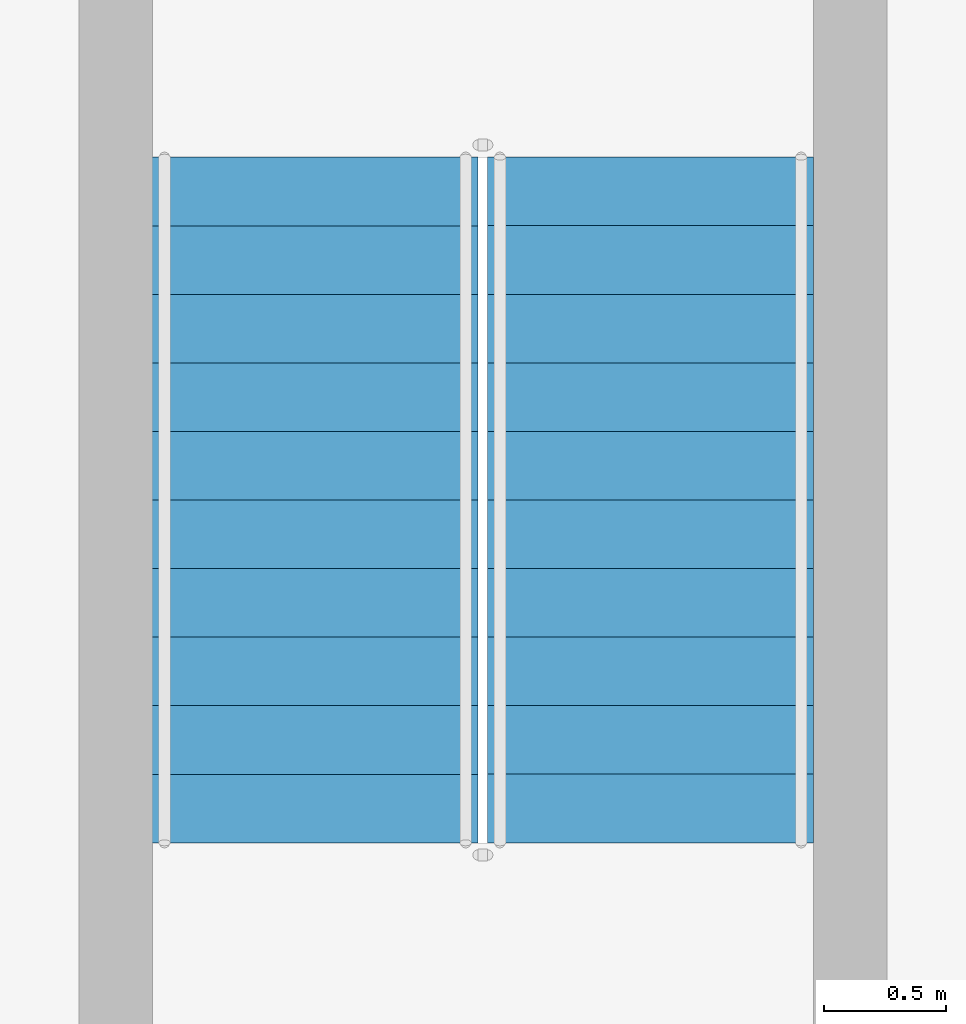
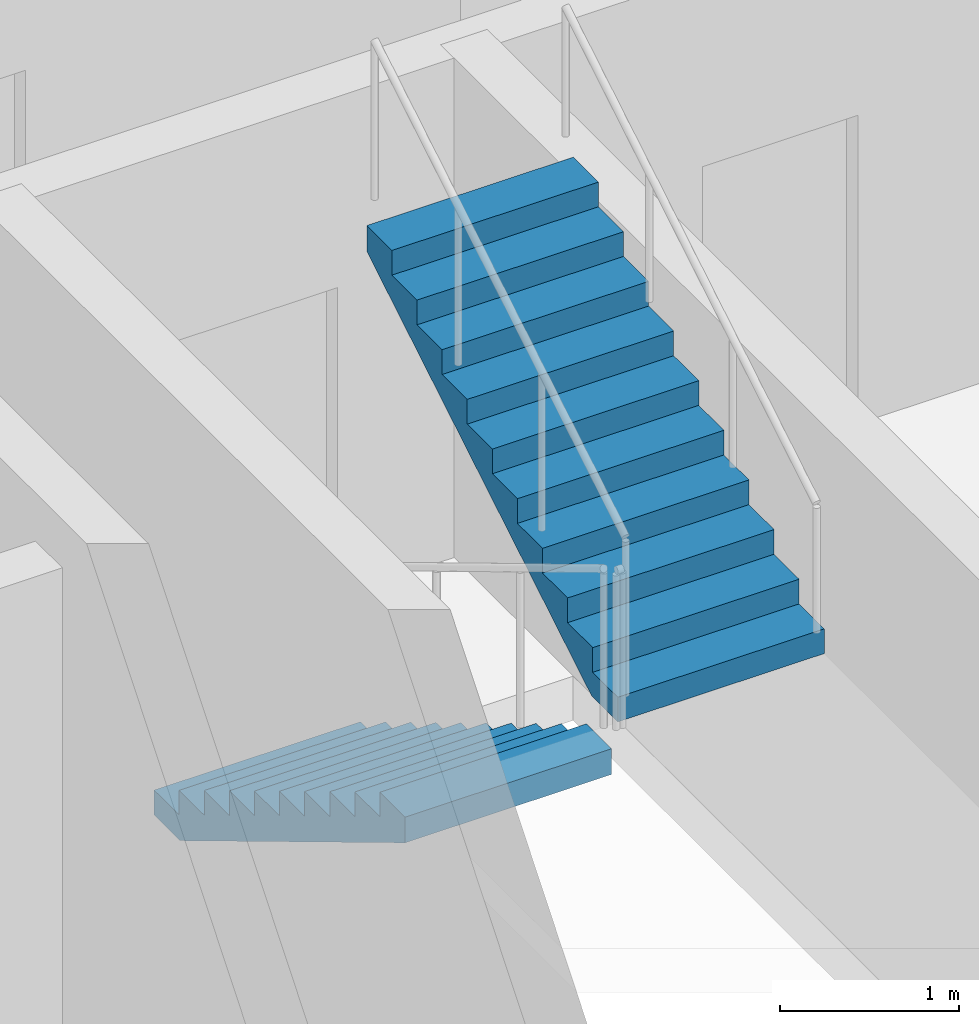
# One storey, part 26 of 36: 2 stair flights, 1 element without a shape of its own.
"""IFC4 building model written with IfcOpenShell, lengths in metres."""

from ifc_helpers import new_model, si_unit, direction, frame, origin, place, context, subcontext, project, spatial, triangles, source, transform, mapped, material, type_object, element, aggregate, save


model = new_model("IFC4")

# Units and contexts
model_context = context("Model", 3, precision=1e-05, world=origin(), true_north=direction((0.0, 1.0)))
body_context = subcontext(model_context, "Body", "Model", "MODEL_VIEW")
ifc_project = project(units=[si_unit("LENGTHUNIT", "METRE"), si_unit("AREAUNIT", "SQUARE_METRE"), si_unit("VOLUMEUNIT", "CUBIC_METRE"), si_unit("PLANEANGLEUNIT", "RADIAN"), si_unit("MASSUNIT", "GRAM", prefix="KILO")], contexts=[model_context])

# Site, building, storey
site_placement = place(None, origin())
site = spatial("IfcSite", under=ifc_project, at=site_placement, CompositionType="ELEMENT")
building_placement = place(site_placement, origin())
building = spatial("IfcBuilding", under=site, at=building_placement, Name="Ogive Portal Towers", CompositionType="ELEMENT")
storey_placement = place(building_placement, frame((0.0, 0.0, 70.5)))
storey = spatial("IfcBuildingStorey", under=building, at=storey_placement, Name="L16", CompositionType="ELEMENT", Elevation=70.5)

# Stair, stair flights
ifc_material = material(Name="Concrete C40/50", Category="concrete")
stair_type = type_object("IfcStairType", Name="INT-STAIR", PredefinedType="HALF_TURN_STAIR", material=ifc_material)
stair_placement = place(storey_placement, origin())
stair = element("IfcStair", 1, at=stair_placement, inside=storey, type_object=stair_type, Name="L16 Exit Stair ST-A4", PredefinedType="HALF_TURN_STAIR")
stair_flight_type = type_object("IfcStairFlightType", Name="INT-FLIGHT", PredefinedType="STRAIGHT", material=ifc_material)
shared_shape = source(origin(), body_context, "Body", "Tessellation", [
    triangles([(0.0, -0.6650390625, 0.0), (0.0, -0.384765625, 0.0), (0.0, -0.197021484375, 0.0), (0.0, -0.0830078125, 0.0), (0.0, -0.024658203125, 0.0), (0.0, -0.003173828125, 0.0), (0.0, 0.0, 0.0), (0.0, 0.003173828125, 0.0), (0.0, 0.024658203125, 0.0), (0.0, 0.0830078125, 0.0), (0.0, 0.197021484375, 0.0), (0.0, 0.384765625, 0.0), (0.0, 0.6650390625, 0.0), (0.0, -0.6650390625, 0.168212890625), (0.0, -0.384765625, 0.168212890625), (0.0, -0.197021484375, 0.168212890625), (0.0, -0.0830078125, 0.168212890625), (0.0, -0.024658203125, 0.168212890625), (0.0, -0.003173828125, 0.168212890625), (0.0, 0.0, 0.168212890625), (0.0, 0.003173828125, 0.168212890625), (0.0, 0.024658203125, 0.168212890625), (0.0, 0.0830078125, 0.168212890625), (0.0, 0.197021484375, 0.168212890625), (0.0, 0.384765625, 0.168212890625), (0.0, 0.6650390625, 0.168212890625), (0.280029296875, -0.6650390625, 0.168212890625), (0.280029296875, -0.384765625, 0.168212890625), (0.280029296875, -0.197021484375, 0.168212890625), (0.280029296875, -0.0830078125, 0.168212890625), (0.280029296875, -0.024658203125, 0.168212890625), (0.280029296875, -0.003173828125, 0.168212890625), (0.280029296875, 0.0, 0.168212890625), (0.280029296875, 0.003173828125, 0.168212890625), (0.280029296875, 0.024658203125, 0.168212890625), (0.280029296875, 0.0830078125, 0.168212890625), (0.280029296875, 0.197021484375, 0.168212890625), (0.280029296875, 0.384765625, 0.168212890625), (0.280029296875, 0.6650390625, 0.168212890625), (0.280029296875, -0.6650390625, 0.33642578125), (0.280029296875, -0.384765625, 0.33642578125), (0.280029296875, -0.197021484375, 0.33642578125), (0.280029296875, -0.0830078125, 0.33642578125), (0.280029296875, -0.024658203125, 0.33642578125), (0.280029296875, -0.003173828125, 0.33642578125), (0.280029296875, 0.0, 0.33642578125), (0.280029296875, 0.003173828125, 0.33642578125), (0.280029296875, 0.024658203125, 0.33642578125), (0.280029296875, 0.0830078125, 0.33642578125), (0.280029296875, 0.197021484375, 0.33642578125), (0.280029296875, 0.384765625, 0.33642578125), (0.280029296875, 0.6650390625, 0.33642578125), (0.56005859375, -0.6650390625, 0.33642578125), (0.56005859375, -0.384765625, 0.33642578125), (0.56005859375, -0.197021484375, 0.33642578125), (0.56005859375, -0.0830078125, 0.33642578125), (0.56005859375, -0.024658203125, 0.33642578125), (0.56005859375, -0.003173828125, 0.33642578125), (0.56005859375, 0.0, 0.33642578125), (0.56005859375, 0.003173828125, 0.33642578125), (0.56005859375, 0.024658203125, 0.33642578125), (0.56005859375, 0.0830078125, 0.33642578125), (0.56005859375, 0.197021484375, 0.33642578125), (0.56005859375, 0.384765625, 0.33642578125), (0.56005859375, 0.6650390625, 0.33642578125), (0.56005859375, -0.6650390625, 0.504638671875), (0.56005859375, -0.384765625, 0.504638671875), (0.56005859375, -0.197021484375, 0.504638671875), (0.56005859375, -0.0830078125, 0.504638671875), (0.56005859375, -0.024658203125, 0.504638671875), (0.56005859375, -0.003173828125, 0.504638671875), (0.56005859375, 0.0, 0.504638671875), (0.56005859375, 0.003173828125, 0.504638671875), (0.56005859375, 0.024658203125, 0.504638671875), (0.56005859375, 0.0830078125, 0.504638671875), (0.56005859375, 0.197021484375, 0.504638671875), (0.56005859375, 0.384765625, 0.504638671875), (0.56005859375, 0.6650390625, 0.504638671875), (0.840087890625, -0.6650390625, 0.504638671875), (0.840087890625, -0.384765625, 0.504638671875), (0.840087890625, -0.197021484375, 0.504638671875), (0.840087890625, -0.0830078125, 0.504638671875), (0.840087890625, -0.024658203125, 0.504638671875), (0.840087890625, -0.003173828125, 0.504638671875), (0.840087890625, 0.0, 0.504638671875), (0.840087890625, 0.003173828125, 0.504638671875), (0.840087890625, 0.024658203125, 0.504638671875), (0.840087890625, 0.0830078125, 0.504638671875), (0.840087890625, 0.197021484375, 0.504638671875), (0.840087890625, 0.384765625, 0.504638671875), (0.840087890625, 0.6650390625, 0.504638671875), (0.840087890625, -0.6650390625, 0.672607421875), (0.840087890625, -0.384765625, 0.672607421875), (0.840087890625, -0.197021484375, 0.672607421875), (0.840087890625, -0.0830078125, 0.672607421875), (0.840087890625, -0.024658203125, 0.672607421875), (0.840087890625, -0.003173828125, 0.672607421875), (0.840087890625, 0.0, 0.672607421875), (0.840087890625, 0.003173828125, 0.672607421875), (0.840087890625, 0.024658203125, 0.672607421875), (0.840087890625, 0.0830078125, 0.672607421875), (0.840087890625, 0.197021484375, 0.672607421875), (0.840087890625, 0.384765625, 0.672607421875), (0.840087890625, 0.6650390625, 0.672607421875), (1.1201171875, -0.6650390625, 0.672607421875), (1.1201171875, -0.384765625, 0.672607421875), (1.1201171875, -0.197021484375, 0.672607421875), (1.1201171875, -0.0830078125, 0.672607421875), (1.1201171875, -0.024658203125, 0.672607421875), (1.1201171875, -0.003173828125, 0.672607421875), (1.1201171875, 0.0, 0.672607421875), (1.1201171875, 0.003173828125, 0.672607421875), (1.1201171875, 0.024658203125, 0.672607421875), (1.1201171875, 0.0830078125, 0.672607421875), (1.1201171875, 0.197021484375, 0.672607421875), (1.1201171875, 0.384765625, 0.672607421875), (1.1201171875, 0.6650390625, 0.672607421875), (1.1201171875, -0.6650390625, 0.8408203125), (1.1201171875, -0.384765625, 0.8408203125), (1.1201171875, -0.197021484375, 0.8408203125), (1.1201171875, -0.0830078125, 0.8408203125), (1.1201171875, -0.024658203125, 0.8408203125), (1.1201171875, -0.003173828125, 0.8408203125), (1.1201171875, 0.0, 0.8408203125), (1.1201171875, 0.003173828125, 0.8408203125), (1.1201171875, 0.024658203125, 0.8408203125), (1.1201171875, 0.0830078125, 0.8408203125), (1.1201171875, 0.197021484375, 0.8408203125), (1.1201171875, 0.384765625, 0.8408203125), (1.1201171875, 0.6650390625, 0.8408203125), (1.39990234375, -0.6650390625, 0.8408203125), (1.39990234375, -0.384765625, 0.8408203125), (1.39990234375, -0.197021484375, 0.8408203125), (1.39990234375, -0.0830078125, 0.8408203125), (1.39990234375, -0.024658203125, 0.8408203125), (1.39990234375, -0.003173828125, 0.8408203125), (1.39990234375, 0.0, 0.8408203125), (1.39990234375, 0.003173828125, 0.8408203125), (1.39990234375, 0.024658203125, 0.8408203125), (1.39990234375, 0.0830078125, 0.8408203125), (1.39990234375, 0.197021484375, 0.8408203125), (1.39990234375, 0.384765625, 0.8408203125), (1.39990234375, 0.6650390625, 0.8408203125), (1.39990234375, -0.6650390625, 1.009033203125), (1.39990234375, -0.384765625, 1.009033203125), (1.39990234375, -0.197021484375, 1.009033203125), (1.39990234375, -0.0830078125, 1.009033203125), (1.39990234375, -0.024658203125, 1.009033203125), (1.39990234375, -0.003173828125, 1.009033203125), (1.39990234375, 0.0, 1.009033203125), (1.39990234375, 0.003173828125, 1.009033203125), (1.39990234375, 0.024658203125, 1.009033203125), (1.39990234375, 0.0830078125, 1.009033203125), (1.39990234375, 0.197021484375, 1.009033203125), (1.39990234375, 0.384765625, 1.009033203125), (1.39990234375, 0.6650390625, 1.009033203125), (1.679931640625, -0.6650390625, 1.009033203125), (1.679931640625, -0.384765625, 1.009033203125), (1.679931640625, -0.197021484375, 1.009033203125), (1.679931640625, -0.0830078125, 1.009033203125), (1.679931640625, -0.024658203125, 1.009033203125), (1.679931640625, -0.003173828125, 1.009033203125), (1.679931640625, 0.0, 1.009033203125), (1.679931640625, 0.003173828125, 1.009033203125), (1.679931640625, 0.024658203125, 1.009033203125), (1.679931640625, 0.0830078125, 1.009033203125), (1.679931640625, 0.197021484375, 1.009033203125), (1.679931640625, 0.384765625, 1.009033203125), (1.679931640625, 0.6650390625, 1.009033203125), (1.679931640625, -0.6650390625, 1.17724609375), (1.679931640625, -0.384765625, 1.17724609375), (1.679931640625, -0.197021484375, 1.17724609375), (1.679931640625, -0.0830078125, 1.17724609375), (1.679931640625, -0.024658203125, 1.17724609375), (1.679931640625, -0.003173828125, 1.17724609375), (1.679931640625, 0.0, 1.17724609375), (1.679931640625, 0.003173828125, 1.17724609375), (1.679931640625, 0.024658203125, 1.17724609375), (1.679931640625, 0.0830078125, 1.17724609375), (1.679931640625, 0.197021484375, 1.17724609375), (1.679931640625, 0.384765625, 1.17724609375), (1.679931640625, 0.6650390625, 1.17724609375), (1.9599609375, -0.6650390625, 1.17724609375), (1.9599609375, -0.384765625, 1.17724609375), (1.9599609375, -0.197021484375, 1.17724609375), (1.9599609375, -0.0830078125, 1.17724609375), (1.9599609375, -0.024658203125, 1.17724609375), (1.9599609375, -0.003173828125, 1.17724609375), (1.9599609375, 0.0, 1.17724609375), (1.9599609375, 0.003173828125, 1.17724609375), (1.9599609375, 0.024658203125, 1.17724609375), (1.9599609375, 0.0830078125, 1.17724609375), (1.9599609375, 0.197021484375, 1.17724609375), (1.9599609375, 0.384765625, 1.17724609375), (1.9599609375, 0.6650390625, 1.17724609375), (1.9599609375, -0.6650390625, 1.345458984375), (1.9599609375, -0.384765625, 1.345458984375), (1.9599609375, -0.197021484375, 1.345458984375), (1.9599609375, -0.0830078125, 1.345458984375), (1.9599609375, -0.024658203125, 1.345458984375), (1.9599609375, -0.003173828125, 1.345458984375), (1.9599609375, 0.0, 1.345458984375), (1.9599609375, 0.003173828125, 1.345458984375), (1.9599609375, 0.024658203125, 1.345458984375), (1.9599609375, 0.0830078125, 1.345458984375), (1.9599609375, 0.197021484375, 1.345458984375), (1.9599609375, 0.384765625, 1.345458984375), (1.9599609375, 0.6650390625, 1.345458984375), (2.239990234375, -0.6650390625, 1.345458984375), (2.239990234375, -0.384765625, 1.345458984375), (2.239990234375, -0.197021484375, 1.345458984375), (2.239990234375, -0.0830078125, 1.345458984375), (2.239990234375, -0.024658203125, 1.345458984375), (2.239990234375, -0.003173828125, 1.345458984375), (2.239990234375, 0.0, 1.345458984375), (2.239990234375, 0.003173828125, 1.345458984375), (2.239990234375, 0.024658203125, 1.345458984375), (2.239990234375, 0.0830078125, 1.345458984375), (2.239990234375, 0.197021484375, 1.345458984375), (2.239990234375, 0.384765625, 1.345458984375), (2.239990234375, 0.6650390625, 1.345458984375), (2.239990234375, -0.6650390625, 1.513671875), (2.239990234375, -0.384765625, 1.513671875), (2.239990234375, -0.197021484375, 1.513671875), (2.239990234375, -0.0830078125, 1.513671875), (2.239990234375, -0.024658203125, 1.513671875), (2.239990234375, -0.003173828125, 1.513671875), (2.239990234375, 0.0, 1.513671875), (2.239990234375, 0.003173828125, 1.513671875), (2.239990234375, 0.024658203125, 1.513671875), (2.239990234375, 0.0830078125, 1.513671875), (2.239990234375, 0.197021484375, 1.513671875), (2.239990234375, 0.384765625, 1.513671875), (2.239990234375, 0.6650390625, 1.513671875), (2.52001953125, -0.6650390625, 1.513671875), (2.52001953125, -0.384765625, 1.513671875), (2.52001953125, -0.197021484375, 1.513671875), (2.52001953125, -0.0830078125, 1.513671875), (2.52001953125, -0.024658203125, 1.513671875), (2.52001953125, -0.003173828125, 1.513671875), (2.52001953125, 0.0, 1.513671875), (2.52001953125, 0.003173828125, 1.513671875), (2.52001953125, 0.024658203125, 1.513671875), (2.52001953125, 0.0830078125, 1.513671875), (2.52001953125, 0.197021484375, 1.513671875), (2.52001953125, 0.384765625, 1.513671875), (2.52001953125, 0.6650390625, 1.513671875), (2.52001953125, -0.6650390625, 1.681884765625), (2.52001953125, -0.384765625, 1.681884765625), (2.52001953125, -0.197021484375, 1.681884765625), (2.52001953125, -0.0830078125, 1.681884765625), (2.52001953125, -0.024658203125, 1.681884765625), (2.52001953125, -0.003173828125, 1.681884765625), (2.52001953125, 0.0, 1.681884765625), (2.52001953125, 0.003173828125, 1.681884765625), (2.52001953125, 0.024658203125, 1.681884765625), (2.52001953125, 0.0830078125, 1.681884765625), (2.52001953125, 0.197021484375, 1.681884765625), (2.52001953125, 0.384765625, 1.681884765625), (2.52001953125, 0.6650390625, 1.681884765625), (2.800048828125, -0.6650390625, 1.681884765625), (2.800048828125, -0.384765625, 1.681884765625), (2.800048828125, -0.197021484375, 1.681884765625), (2.800048828125, -0.0830078125, 1.681884765625), (2.800048828125, -0.024658203125, 1.681884765625), (2.800048828125, -0.003173828125, 1.681884765625), (2.800048828125, 0.0, 1.681884765625), (2.800048828125, 0.003173828125, 1.681884765625), (2.800048828125, 0.024658203125, 1.681884765625), (2.800048828125, 0.0830078125, 1.681884765625), (2.800048828125, 0.197021484375, 1.681884765625), (2.800048828125, 0.384765625, 1.681884765625), (2.800048828125, 0.6650390625, 1.681884765625), (2.800048828125, -0.6650390625, 1.5068359375), (2.800048828125, -0.384765625, 1.5068359375), (2.800048828125, -0.197021484375, 1.5068359375), (2.800048828125, -0.0830078125, 1.5068359375), (2.800048828125, -0.024658203125, 1.5068359375), (2.800048828125, -0.003173828125, 1.5068359375), (2.800048828125, 0.0, 1.5068359375), (2.800048828125, 0.003173828125, 1.5068359375), (2.800048828125, 0.024658203125, 1.5068359375), (2.800048828125, 0.0830078125, 1.5068359375), (2.800048828125, 0.197021484375, 1.5068359375), (2.800048828125, 0.384765625, 1.5068359375), (2.800048828125, 0.6650390625, 1.5068359375), (0.291015625, -0.6650390625, 0.0), (0.291015625, -0.384765625, 0.0), (0.291015625, -0.197021484375, 0.0), (0.291015625, -0.0830078125, 0.0), (0.291015625, -0.024658203125, 0.0), (0.291015625, -0.003173828125, 0.0), (0.291015625, 0.0, 0.0), (0.291015625, 0.003173828125, 0.0), (0.291015625, 0.024658203125, 0.0), (0.291015625, 0.0830078125, 0.0), (0.291015625, 0.197021484375, 0.0), (0.291015625, 0.384765625, 0.0), (0.291015625, 0.6650390625, 0.0)], [[1, 14, 15], [1, 15, 2], [2, 15, 16], [2, 16, 3], [3, 16, 17], [3, 17, 4], [4, 17, 18], [4, 18, 5], [5, 18, 19], [5, 19, 6], [6, 19, 20], [6, 20, 7], [7, 20, 21], [7, 21, 8], [8, 21, 22], [8, 22, 9], [9, 22, 23], [9, 23, 10], [10, 23, 24], [10, 24, 11], [11, 24, 25], [11, 25, 12], [12, 25, 26], [12, 26, 13], [14, 27, 28], [14, 28, 15], [15, 28, 29], [15, 29, 16], [16, 29, 30], [16, 30, 17], [17, 30, 31], [17, 31, 18], [18, 31, 32], [18, 32, 19], [19, 32, 33], [19, 33, 20], [20, 33, 34], [20, 34, 21], [21, 34, 35], [21, 35, 22], [22, 35, 36], [22, 36, 23], [23, 36, 37], [23, 37, 24], [24, 37, 38], [24, 38, 25], [25, 38, 39], [25, 39, 26], [27, 40, 41], [27, 41, 28], [28, 41, 42], [28, 42, 29], [29, 42, 43], [29, 43, 30], [30, 43, 44], [30, 44, 31], [31, 44, 45], [31, 45, 32], [32, 45, 46], [32, 46, 33], [33, 46, 47], [33, 47, 34], [34, 47, 48], [34, 48, 35], [35, 48, 49], [35, 49, 36], [36, 49, 50], [36, 50, 37], [37, 50, 51], [37, 51, 38], [38, 51, 52], [38, 52, 39], [40, 53, 54], [40, 54, 41], [41, 54, 55], [41, 55, 42], [42, 55, 56], [42, 56, 43], [43, 56, 57], [43, 57, 44], [44, 57, 58], [44, 58, 45], [45, 58, 59], [45, 59, 46], [46, 59, 60], [46, 60, 47], [47, 60, 61], [47, 61, 48], [48, 61, 62], [48, 62, 49], [49, 62, 63], [49, 63, 50], [50, 63, 64], [50, 64, 51], [51, 64, 65], [51, 65, 52], [53, 66, 67], [53, 67, 54], [54, 67, 68], [54, 68, 55], [55, 68, 69], [55, 69, 56], [56, 69, 70], [56, 70, 57], [57, 70, 71], [57, 71, 58], [58, 71, 72], [58, 72, 59], [59, 72, 73], [59, 73, 60], [60, 73, 74], [60, 74, 61], [61, 74, 75], [61, 75, 62], [62, 75, 76], [62, 76, 63], [63, 76, 77], [63, 77, 64], [64, 77, 78], [64, 78, 65], [66, 79, 80], [66, 80, 67], [67, 80, 81], [67, 81, 68], [68, 81, 82], [68, 82, 69], [69, 82, 83], [69, 83, 70], [70, 83, 84], [70, 84, 71], [71, 84, 85], [71, 85, 72], [72, 85, 86], [72, 86, 73], [73, 86, 87], [73, 87, 74], [74, 87, 88], [74, 88, 75], [75, 88, 89], [75, 89, 76], [76, 89, 90], [76, 90, 77], [77, 90, 91], [77, 91, 78], [79, 92, 93], [79, 93, 80], [80, 93, 94], [80, 94, 81], [81, 94, 95], [81, 95, 82], [82, 95, 96], [82, 96, 83], [83, 96, 97], [83, 97, 84], [84, 97, 98], [84, 98, 85], [85, 98, 99], [85, 99, 86], [86, 99, 100], [86, 100, 87], [87, 100, 101], [87, 101, 88], [88, 101, 102], [88, 102, 89], [89, 102, 103], [89, 103, 90], [90, 103, 104], [90, 104, 91], [92, 105, 106], [92, 106, 93], [93, 106, 107], [93, 107, 94], [94, 107, 108], [94, 108, 95], [95, 108, 109], [95, 109, 96], [96, 109, 110], [96, 110, 97], [97, 110, 111], [97, 111, 98], [98, 111, 112], [98, 112, 99], [99, 112, 113], [99, 113, 100], [100, 113, 114], [100, 114, 101], [101, 114, 115], [101, 115, 102], [102, 115, 116], [102, 116, 103], [103, 116, 117], [103, 117, 104], [105, 118, 119], [105, 119, 106], [106, 119, 120], [106, 120, 107], [107, 120, 121], [107, 121, 108], [108, 121, 122], [108, 122, 109], [109, 122, 123], [109, 123, 110], [110, 123, 124], [110, 124, 111], [111, 124, 125], [111, 125, 112], [112, 125, 126], [112, 126, 113], [113, 126, 127], [113, 127, 114], [114, 127, 128], [114, 128, 115], [115, 128, 129], [115, 129, 116], [116, 129, 130], [116, 130, 117], [118, 131, 132], [118, 132, 119], [119, 132, 133], [119, 133, 120], [120, 133, 134], [120, 134, 121], [121, 134, 135], [121, 135, 122], [122, 135, 136], [122, 136, 123], [123, 136, 137], [123, 137, 124], [124, 137, 138], [124, 138, 125], [125, 138, 139], [125, 139, 126], [126, 139, 140], [126, 140, 127], [127, 140, 141], [127, 141, 128], [128, 141, 142], [128, 142, 129], [129, 142, 143], [129, 143, 130], [131, 144, 145], [131, 145, 132], [132, 145, 146], [132, 146, 133], [133, 146, 147], [133, 147, 134], [134, 147, 148], [134, 148, 135], [135, 148, 149], [135, 149, 136], [136, 149, 150], [136, 150, 137], [137, 150, 151], [137, 151, 138], [138, 151, 152], [138, 152, 139], [139, 152, 153], [139, 153, 140], [140, 153, 154], [140, 154, 141], [141, 154, 155], [141, 155, 142], [142, 155, 156], [142, 156, 143], [144, 157, 158], [144, 158, 145], [145, 158, 159], [145, 159, 146], [146, 159, 160], [146, 160, 147], [147, 160, 161], [147, 161, 148], [148, 161, 162], [148, 162, 149], [149, 162, 163], [149, 163, 150], [150, 163, 164], [150, 164, 151], [151, 164, 165], [151, 165, 152], [152, 165, 166], [152, 166, 153], [153, 166, 167], [153, 167, 154], [154, 167, 168], [154, 168, 155], [155, 168, 169], [155, 169, 156], [157, 170, 171], [157, 171, 158], [158, 171, 172], [158, 172, 159], [159, 172, 173], [159, 173, 160], [160, 173, 174], [160, 174, 161], [161, 174, 175], [161, 175, 162], [162, 175, 176], [162, 176, 163], [163, 176, 177], [163, 177, 164], [164, 177, 178], [164, 178, 165], [165, 178, 179], [165, 179, 166], [166, 179, 180], [166, 180, 167], [167, 180, 181], [167, 181, 168], [168, 181, 182], [168, 182, 169], [170, 183, 184], [170, 184, 171], [171, 184, 185], [171, 185, 172], [172, 185, 186], [172, 186, 173], [173, 186, 187], [173, 187, 174], [174, 187, 188], [174, 188, 175], [175, 188, 189], [175, 189, 176], [176, 189, 190], [176, 190, 177], [177, 190, 191], [177, 191, 178], [178, 191, 192], [178, 192, 179], [179, 192, 193], [179, 193, 180], [180, 193, 194], [180, 194, 181], [181, 194, 195], [181, 195, 182], [183, 196, 197], [183, 197, 184], [184, 197, 198], [184, 198, 185], [185, 198, 199], [185, 199, 186], [186, 199, 200], [186, 200, 187], [187, 200, 201], [187, 201, 188], [188, 201, 202], [188, 202, 189], [189, 202, 203], [189, 203, 190], [190, 203, 204], [190, 204, 191], [191, 204, 205], [191, 205, 192], [192, 205, 206], [192, 206, 193], [193, 206, 207], [193, 207, 194], [194, 207, 208], [194, 208, 195], [196, 209, 210], [196, 210, 197], [197, 210, 211], [197, 211, 198], [198, 211, 212], [198, 212, 199], [199, 212, 213], [199, 213, 200], [200, 213, 214], [200, 214, 201], [201, 214, 215], [201, 215, 202], [202, 215, 216], [202, 216, 203], [203, 216, 217], [203, 217, 204], [204, 217, 218], [204, 218, 205], [205, 218, 219], [205, 219, 206], [206, 219, 220], [206, 220, 207], [207, 220, 221], [207, 221, 208], [209, 222, 223], [209, 223, 210], [210, 223, 224], [210, 224, 211], [211, 224, 225], [211, 225, 212], [212, 225, 226], [212, 226, 213], [213, 226, 227], [213, 227, 214], [214, 227, 228], [214, 228, 215], [215, 228, 229], [215, 229, 216], [216, 229, 230], [216, 230, 217], [217, 230, 231], [217, 231, 218], [218, 231, 232], [218, 232, 219], [219, 232, 233], [219, 233, 220], [220, 233, 234], [220, 234, 221], [222, 235, 236], [222, 236, 223], [223, 236, 237], [223, 237, 224], [224, 237, 238], [224, 238, 225], [225, 238, 239], [225, 239, 226], [226, 239, 240], [226, 240, 227], [227, 240, 241], [227, 241, 228], [228, 241, 242], [228, 242, 229], [229, 242, 243], [229, 243, 230], [230, 243, 244], [230, 244, 231], [231, 244, 245], [231, 245, 232], [232, 245, 246], [232, 246, 233], [233, 246, 247], [233, 247, 234], [235, 248, 249], [235, 249, 236], [236, 249, 250], [236, 250, 237], [237, 250, 251], [237, 251, 238], [238, 251, 252], [238, 252, 239], [239, 252, 253], [239, 253, 240], [240, 253, 254], [240, 254, 241], [241, 254, 255], [241, 255, 242], [242, 255, 256], [242, 256, 243], [243, 256, 257], [243, 257, 244], [244, 257, 258], [244, 258, 245], [245, 258, 259], [245, 259, 246], [246, 259, 260], [246, 260, 247], [248, 261, 262], [248, 262, 249], [249, 262, 263], [249, 263, 250], [250, 263, 264], [250, 264, 251], [251, 264, 265], [251, 265, 252], [252, 265, 266], [252, 266, 253], [253, 266, 267], [253, 267, 254], [254, 267, 268], [254, 268, 255], [255, 268, 269], [255, 269, 256], [256, 269, 270], [256, 270, 257], [257, 270, 271], [257, 271, 258], [258, 271, 272], [258, 272, 259], [259, 272, 273], [259, 273, 260], [261, 274, 275], [261, 275, 262], [262, 275, 276], [262, 276, 263], [263, 276, 277], [263, 277, 264], [264, 277, 278], [264, 278, 265], [265, 278, 279], [265, 279, 266], [266, 279, 280], [266, 280, 267], [267, 280, 281], [267, 281, 268], [268, 281, 282], [268, 282, 269], [269, 282, 283], [269, 283, 270], [270, 283, 284], [270, 284, 271], [271, 284, 285], [271, 285, 272], [272, 285, 286], [272, 286, 273], [274, 287, 288], [274, 288, 275], [275, 288, 289], [275, 289, 276], [276, 289, 290], [276, 290, 277], [277, 290, 291], [277, 291, 278], [278, 291, 292], [278, 292, 279], [279, 292, 293], [279, 293, 280], [280, 293, 294], [280, 294, 281], [281, 294, 295], [281, 295, 282], [282, 295, 296], [282, 296, 283], [283, 296, 297], [283, 297, 284], [284, 297, 298], [284, 298, 285], [285, 298, 299], [285, 299, 286], [287, 1, 2], [287, 2, 288], [288, 2, 3], [288, 3, 289], [289, 3, 4], [289, 4, 290], [290, 4, 5], [290, 5, 291], [291, 5, 6], [291, 6, 292], [292, 6, 7], [292, 7, 293], [293, 7, 8], [293, 8, 294], [294, 8, 9], [294, 9, 295], [295, 9, 10], [295, 10, 296], [296, 10, 11], [296, 11, 297], [297, 11, 12], [297, 12, 298], [298, 12, 13], [298, 13, 299], [1, 287, 274], [13, 286, 299], [274, 261, 248], [286, 260, 273], [274, 248, 235], [286, 247, 260], [274, 235, 222], [286, 234, 247], [274, 222, 209], [286, 221, 234], [209, 196, 183], [221, 195, 208], [274, 209, 183], [286, 195, 221], [183, 170, 157], [195, 169, 182], [274, 183, 157], [286, 169, 195], [157, 144, 131], [169, 143, 156], [274, 157, 131], [286, 143, 169], [131, 118, 105], [143, 117, 130], [274, 131, 105], [286, 117, 143], [1, 274, 105], [13, 117, 286], [105, 92, 79], [117, 91, 104], [79, 66, 53], [91, 65, 78], [105, 79, 53], [117, 65, 91], [53, 40, 27], [65, 39, 52], [105, 53, 27], [117, 39, 65], [1, 105, 27], [13, 39, 117], [27, 14, 1], [39, 13, 26]], closed=True),
])
stair_flight_1_placement = place(storey_placement, frame((87.6650390625, 29.169921875, 0.0), z_axis=(0.0, 0.0, 1.0), x_axis=(0.0, -1.0, 0.0)))
stair_flight_1 = element("IfcStairFlight", 2, at=stair_flight_1_placement, type_object=stair_flight_type, Name="ST-A4 flight 1", NumberOfRisers=11, NumberOfTreads=10, PredefinedType="STRAIGHT", RiserHeight=0.168181818, TreadLength=0.28, context=body_context, shape_type="MappedRepresentation", body=[
    mapped(shared_shape, transform((0.0, 0.0, 0.0), scale=1.0)),
])
stair_flight_2_placement = place(storey_placement, frame((89.034912109375, 26.3701171875, 1.85009765625), z_axis=(0.0, 0.0, 1.0), x_axis=(0.0, 1.0, 0.0)))
stair_flight_2 = element("IfcStairFlight", 3, at=stair_flight_2_placement, type_object=stair_flight_type, Name="ST-A4 flight 2", NumberOfRisers=11, NumberOfTreads=10, PredefinedType="STRAIGHT", RiserHeight=0.168181818, TreadLength=0.28, context=body_context, shape_type="MappedRepresentation", body=[
    mapped(shared_shape, transform((0.0, 0.0, 0.0), scale=1.0)),
])
aggregate(stair, [stair_flight_1, stair_flight_2])

save(model, "model.ifc")
